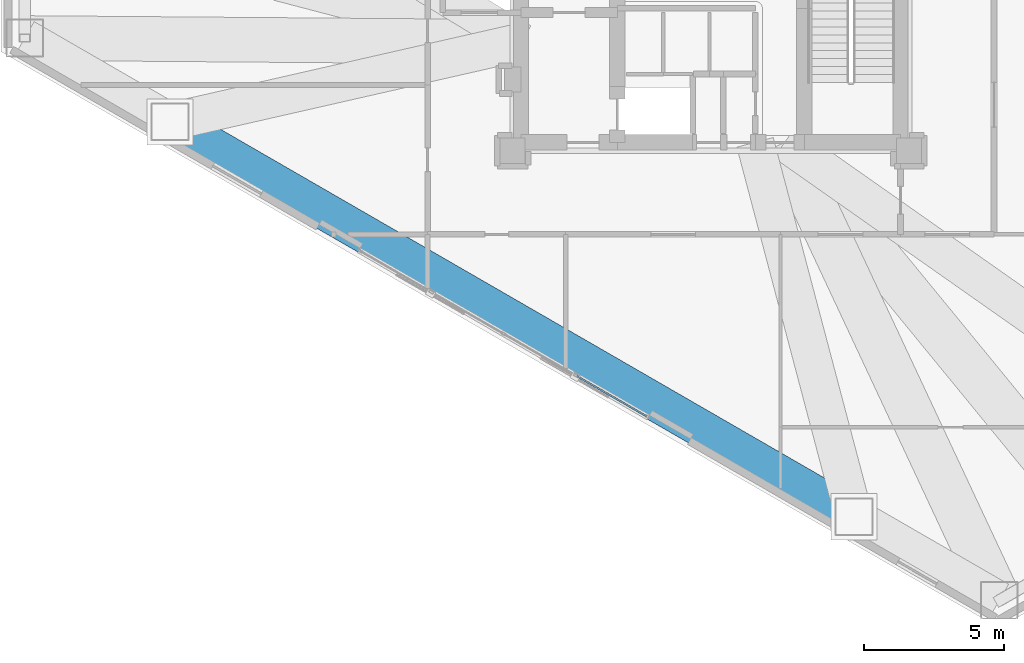
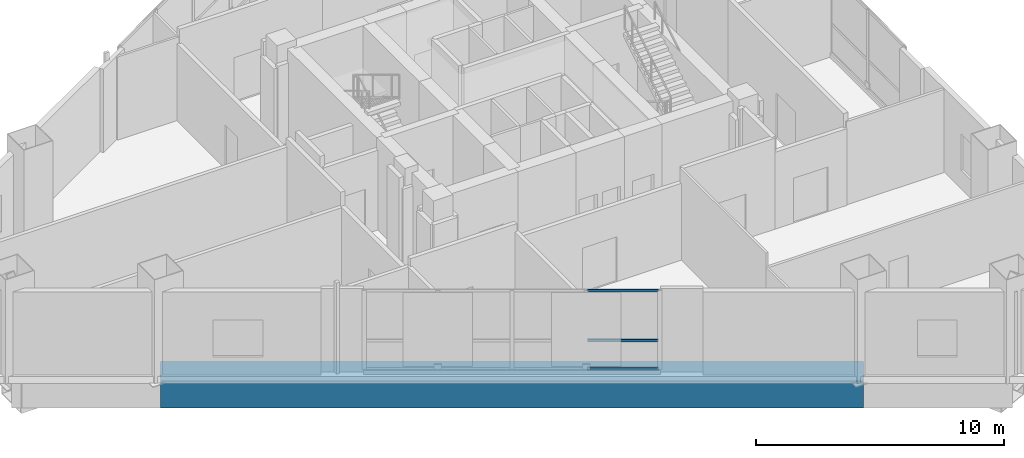
# One storey, part 4 of 29: 3 members, 1 beam, 1 element without a shape of its own.
"""IFC4 building model written with IfcOpenShell, lengths in metres."""

from ifc_helpers import new_model, si_unit, direction, frame, origin, origin_2d, place, context, subcontext, project, spatial, hollow_rectangle, extrude, material, layer, layer_set, material_profile, profile_set, type_object, element, aggregate, save


model = new_model("IFC4")

# Units and contexts
model_context = context("Model", 3, precision=1e-05, world=origin(), true_north=direction((0.0, 1.0)))
body_context = subcontext(model_context, "Body", "Model", "MODEL_VIEW")
ifc_project = project(units=[si_unit("LENGTHUNIT", "METRE"), si_unit("AREAUNIT", "SQUARE_METRE"), si_unit("VOLUMEUNIT", "CUBIC_METRE"), si_unit("PLANEANGLEUNIT", "RADIAN"), si_unit("MASSUNIT", "GRAM", prefix="KILO")], contexts=[model_context])

# Site, building, storey
site_placement = place(None, origin())
site = spatial("IfcSite", under=ifc_project, at=site_placement, CompositionType="ELEMENT")
building_placement = place(site_placement, origin())
building = spatial("IfcBuilding", under=site, at=building_placement, Name="Mersakhor Tower and Convention Hall", CompositionType="ELEMENT")
storey_placement = place(building_placement, frame((0.0, 0.0, 9.60009765625)))
storey = spatial("IfcBuildingStorey", under=building, at=storey_placement, Name="L02", CompositionType="ELEMENT", Elevation=9.60009765625)

# Beam
ifc_material_1 = material(Name="Steel S460", Category="steel")
ifc_material_profile_1 = material_profile(ifc_material_1, hollow_rectangle(XDim=1.35009765625, YDim=1.35009765625, WallThickness=0.035888671875, at=origin_2d()), Name="SHS 1350x1350x36")
ifc_profile_set_1 = profile_set([ifc_material_profile_1], Name="Steel S460")
beam_type = type_object("IfcBeamType", Name="BM-TR-BOX1350", PredefinedType="BEAM", material=ifc_profile_set_1)
beam_placement = place(storey_placement, frame((34.13330078125, 7.331787109375, -0.9951171875), z_axis=(-0.86602732334, 0.499996675217, 0.0), x_axis=(-0.499996675217, -0.86602732334, 0.0)))
element("IfcBeam", 1, at=beam_placement, inside=storey, type_object=beam_type, Name="L02 Podium Back-Span Transfer Box Girder TB-F3-2", PredefinedType="BEAM", context=body_context, shape_type="SweptSolid", body=[
    extrude(hollow_rectangle(XDim=1.35009765625, YDim=1.35009765625, WallThickness=0.035888671875, at=origin_2d()), origin(), (0.0, 0.0, 1.0), 28.309326171875),
])

# Curtain wall, members
ifc_material_2 = material(Name="Dark solar low-E aluminium curtain wall", Category="aluminium")
ifc_layer = layer(ifc_material_2, 0.18994140625)
ifc_layer_set = layer_set([ifc_layer], Name="Dark solar low-E aluminium curtain wall")
curtain_wall_type = type_object("IfcCurtainWallType", Name="CW-SYS-04", PredefinedType="USERDEFINED", material=ifc_layer_set)
curtain_wall_placement = place(storey_placement, origin())
curtain_wall = element("IfcCurtainWall", 2, at=curtain_wall_placement, inside=storey, type_object=curtain_wall_type, Name="L02 Dark-Glass Curtain Wall F3-B2", ObjectType="CURTAIN WALL", PredefinedType="USERDEFINED")
ifc_material_3 = material(Name="Anodised aluminium EN AW-6063 T6", Category="aluminium")
ifc_material_profile_2 = material_profile(ifc_material_3, hollow_rectangle(XDim=0.06005859375, YDim=0.1201171875, WallThickness=0.0048828125, at=origin_2d()), Name="RHS 120x60x5")
ifc_profile_set_2 = profile_set([ifc_material_profile_2], Name="Anodised aluminium EN AW-6063 T6")
member_type = type_object("IfcMemberType", Name="CWT-120x60", PredefinedType="USERDEFINED", material=ifc_profile_set_2)
member_1_placement = place(storey_placement, frame((26.690185546875, 10.936279296875, 0.22998046875), z_axis=(-0.866038426532, 0.499977443261, 0.0), x_axis=(-0.499977443261, -0.866038426532, 0.0)))
member_1 = element("IfcMember", 3, at=member_1_placement, type_object=member_type, Name="CW-04 transom 1.1", ObjectType="TRANSOM", PredefinedType="USERDEFINED", context=body_context, shape_type="SweptSolid", body=[
    extrude(hollow_rectangle(XDim=0.06005859375, YDim=0.1201171875, WallThickness=0.0048828125, at=origin_2d()), origin(), (0.0, 0.0, 1.0), 2.873291015625),
])
member_2_placement = place(storey_placement, frame((26.690185546875, 10.936279296875, 1.619873046875), z_axis=(-0.866038426532, 0.499977443261, 0.0), x_axis=(-0.499977443261, -0.866038426532, 0.0)))
member_2 = element("IfcMember", 4, at=member_2_placement, type_object=member_type, Name="CW-04 transom 1.2", ObjectType="TRANSOM", PredefinedType="USERDEFINED", context=body_context, shape_type="SweptSolid", body=[
    extrude(hollow_rectangle(XDim=0.06005859375, YDim=0.1201171875, WallThickness=0.0048828125, at=origin_2d()), origin(), (0.0, 0.0, 1.0), 2.873291015625),
])
member_3_placement = place(storey_placement, frame((26.690185546875, 10.936279296875, 4.06982421875), z_axis=(-0.866038426532, 0.499977443261, 0.0), x_axis=(-0.499977443261, -0.866038426532, 0.0)))
member_3 = element("IfcMember", 5, at=member_3_placement, type_object=member_type, Name="CW-04 transom 1.3", ObjectType="TRANSOM", PredefinedType="USERDEFINED", context=body_context, shape_type="SweptSolid", body=[
    extrude(hollow_rectangle(XDim=0.06005859375, YDim=0.1201171875, WallThickness=0.0048828125, at=origin_2d()), origin(), (0.0, 0.0, 1.0), 2.873291015625),
])
aggregate(curtain_wall, [member_1, member_2, member_3])

save(model, "model.ifc")
